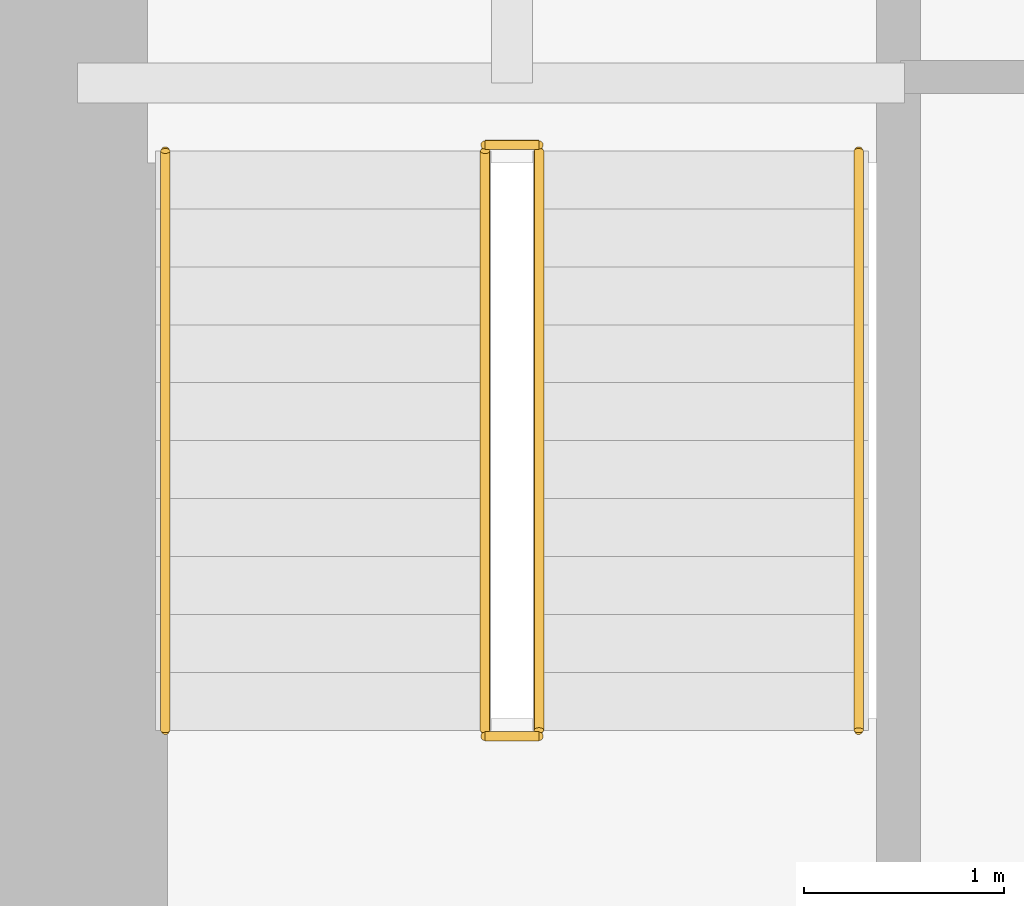
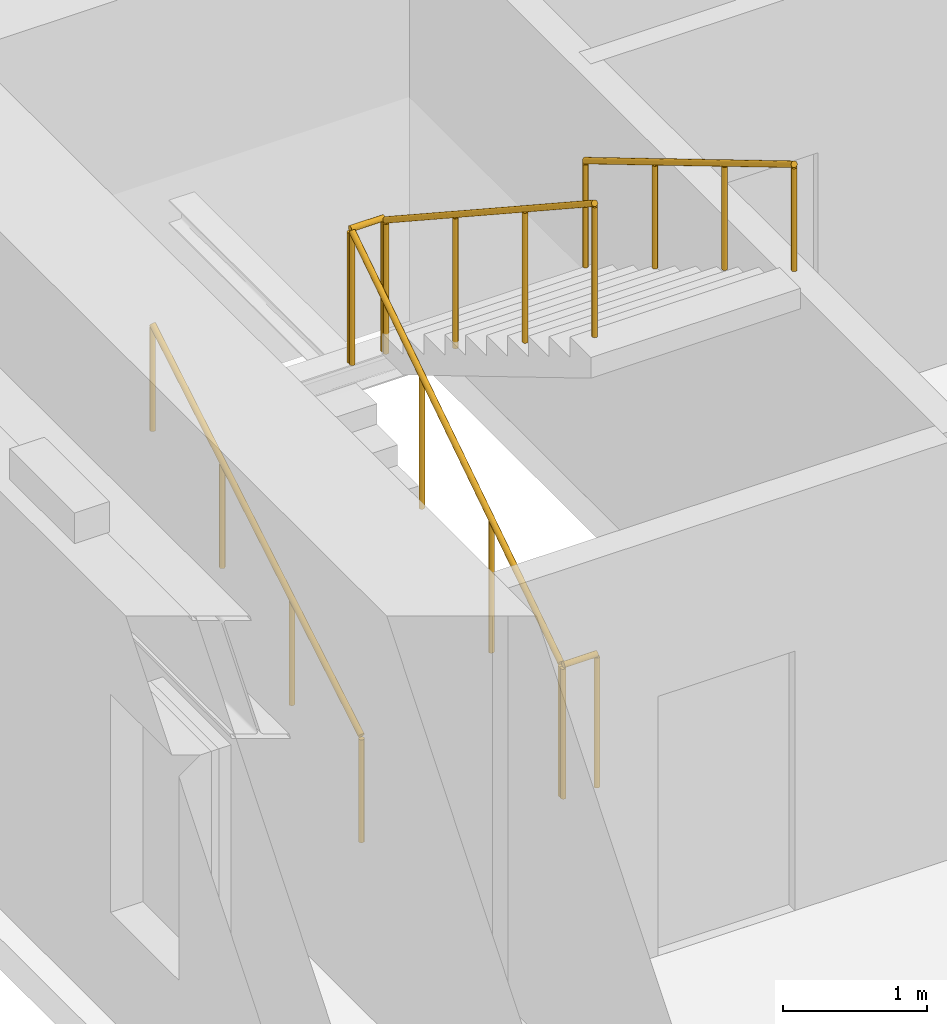
# One storey, part 14 of 16: 6 railings.
"""IFC4 building model written with IfcOpenShell, lengths in metres."""

from ifc_helpers import new_model, si_unit, direction, frame, origin, origin_2d, place, context, subcontext, project, spatial, circle, extrude, material, type_object, element, save


model = new_model("IFC4")

# Units and contexts
model_context = context("Model", 3, precision=1e-05, world=origin(), true_north=direction((0.0, 1.0)))
body_context = subcontext(model_context, "Body", "Model", "MODEL_VIEW")
ifc_project = project(units=[si_unit("LENGTHUNIT", "METRE"), si_unit("AREAUNIT", "SQUARE_METRE"), si_unit("VOLUMEUNIT", "CUBIC_METRE"), si_unit("PLANEANGLEUNIT", "RADIAN"), si_unit("MASSUNIT", "GRAM", prefix="KILO")], contexts=[model_context])

# Site, building, storey
site_placement = place(None, origin())
site = spatial("IfcSite", under=ifc_project, at=site_placement, CompositionType="ELEMENT")
building_placement = place(site_placement, origin())
building = spatial("IfcBuilding", under=site, at=building_placement, Name="Norrvale University Quadrangle", CompositionType="ELEMENT")
storey_placement = place(building_placement, frame((0.0, 0.0, 58.39990234375)))
storey = spatial("IfcBuildingStorey", under=building, at=storey_placement, Name="L14", CompositionType="ELEMENT", Elevation=58.39990234375)

# Railings
ifc_material_1 = material(Name="Steel 350W Painted Balustrade", Category="steel")
railing_type_1 = type_object("IfcRailingType", Name="Railing Stair Guard 1100", PredefinedType="GUARDRAIL", material=ifc_material_1)
for number, where, name in (
    (1, (4.239990234375, 42.02001953125, 0.0), "Stair Floor Well Guard ST-02 L14"),
    (2, (4.239990234375, 44.97998046875, 1.900146484375), "Stair Mid-Landing Slot Guard ST-02 L14"),
):
    element("IfcRailing", number, at=place(storey_placement, frame(where)), inside=storey, type_object=railing_type_1, Name=name, PredefinedType="GUARDRAIL", context=body_context, shape_type="SweptSolid", body=[
        extrude(circle(Radius=0.02392578125, at=origin_2d()), frame((0.0, 0.0, 1.1259765625), z_axis=(1.0, 0.0, 0.0), x_axis=(0.0, 1.0, 0.0)), (0.0, 0.0, 1.0), 0.27001953125),
        extrude(circle(Radius=0.02099609375, at=origin_2d()), origin(), (0.0, 0.0, 1.0), 1.101806640625),
        extrude(circle(Radius=0.02099609375, at=origin_2d()), frame((0.27001953125, 0.0, 0.0)), (0.0, 0.0, 1.0), 1.101806640625),
    ])
railing_1_placement = place(storey_placement, frame((4.239990234375, 42.050048828125, 0.0)))
element("IfcRailing", 3, at=railing_1_placement, inside=storey, type_object=railing_type_1, Name="Stair Lower Flight Inner Guard ST-02 L14", PredefinedType="GUARDRAIL", context=body_context, shape_type="SweptSolid", body=[
    extrude(circle(Radius=0.02392578125, at=origin_2d()), frame((0.0, 0.0, 1.1259765625), z_axis=(0.0, 0.836433300813, 0.548068730445), x_axis=(-1.0, 0.0, 0.0)), (0.0, 0.0, 1.0), 3.467041015625),
    extrude(circle(Radius=0.02099609375, at=origin_2d()), origin(), (0.0, 0.0, 1.0), 1.101806640625),
    extrude(circle(Radius=0.02099609375, at=origin_2d()), frame((0.0, 0.966552734375, 0.63330078125)), (0.0, 0.0, 1.0), 1.101806640625),
    extrude(circle(Radius=0.02099609375, at=origin_2d()), frame((0.0, 1.933349609375, 1.266845703125)), (0.0, 0.0, 1.0), 1.101806640625),
    extrude(circle(Radius=0.02099609375, at=origin_2d()), frame((0.0, 2.89990234375, 1.900146484375)), (0.0, 0.0, 1.0), 1.101806640625),
])
railing_2_placement = place(storey_placement, frame((4.510009765625, 44.949951171875, 1.900146484375)))
element("IfcRailing", 4, at=railing_2_placement, inside=storey, type_object=railing_type_1, Name="Stair Upper Flight Inner Guard ST-02 L14", PredefinedType="GUARDRAIL", context=body_context, shape_type="SweptSolid", body=[
    extrude(circle(Radius=0.02392578125, at=origin_2d()), frame((0.0, 0.0, 1.1259765625), z_axis=(0.0, -0.836465582154, 0.548019461216), x_axis=(1.0, 0.0, 0.0)), (0.0, 0.0, 1.0), 3.466796875),
    extrude(circle(Radius=0.02099609375, at=origin_2d()), origin(), (0.0, 0.0, 1.0), 1.101806640625),
    extrude(circle(Radius=0.02099609375, at=origin_2d()), frame((0.0, -0.966552734375, 0.63330078125)), (0.0, 0.0, 1.0), 1.101806640625),
    extrude(circle(Radius=0.02099609375, at=origin_2d()), frame((0.0, -1.933349609375, 1.2666015625)), (0.0, 0.0, 1.0), 1.101806640625),
    extrude(circle(Radius=0.02099609375, at=origin_2d()), frame((0.0, -2.89990234375, 1.89990234375)), (0.0, 0.0, 1.0), 1.101806640625),
])
ifc_material_2 = material(Name="Stainless Steel 316L Handrail", Category="steel")
railing_type_2 = type_object("IfcRailingType", Name="Railing Stair Handrail 920", PredefinedType="HANDRAIL", material=ifc_material_2)
railing_3_placement = place(storey_placement, frame((2.639892578125, 42.050048828125, 0.1728515625)))
element("IfcRailing", 5, at=railing_3_placement, inside=storey, type_object=railing_type_2, Name="Stair Lower Flight Handrail ST-02 L14", PredefinedType="HANDRAIL", context=body_context, shape_type="SweptSolid", body=[
    extrude(circle(Radius=0.02392578125, at=origin_2d()), frame((0.0, 0.0, 0.89599609375), z_axis=(0.0, 0.859141464434, 0.511738159696), x_axis=(-1.0, 0.0, 0.0)), (0.0, 0.0, 1.0), 3.375244140625),
    extrude(circle(Radius=0.02099609375, at=origin_2d()), origin(), (0.0, 0.0, 1.0), 0.871826171875),
    extrude(circle(Radius=0.02099609375, at=origin_2d()), frame((0.0, 0.966552734375, 0.57568359375)), (0.0, 0.0, 1.0), 0.871826171875),
    extrude(circle(Radius=0.02099609375, at=origin_2d()), frame((0.0, 1.933349609375, 1.151611328125)), (0.0, 0.0, 1.0), 0.871826171875),
    extrude(circle(Radius=0.02099609375, at=origin_2d()), frame((0.0, 2.89990234375, 1.727294921875)), (0.0, 0.0, 1.0), 0.871826171875),
])
railing_4_placement = place(storey_placement, frame((6.110107421875, 44.949951171875, 2.07275390625)))
element("IfcRailing", 6, at=railing_4_placement, inside=storey, type_object=railing_type_2, Name="Stair Upper Flight Handrail ST-02 L14", PredefinedType="HANDRAIL", context=body_context, shape_type="SweptSolid", body=[
    extrude(circle(Radius=0.02392578125, at=origin_2d()), frame((0.0, 0.0, 0.89599609375), z_axis=(0.0, -0.859141464434, 0.511738159696), x_axis=(1.0, 0.0, 0.0)), (0.0, 0.0, 1.0), 3.375244140625),
    extrude(circle(Radius=0.02099609375, at=origin_2d()), origin(), (0.0, 0.0, 1.0), 0.871826171875),
    extrude(circle(Radius=0.02099609375, at=origin_2d()), frame((0.0, -0.966552734375, 0.57568359375)), (0.0, 0.0, 1.0), 0.871826171875),
    extrude(circle(Radius=0.02099609375, at=origin_2d()), frame((0.0, -1.933349609375, 1.151611328125)), (0.0, 0.0, 1.0), 0.871826171875),
    extrude(circle(Radius=0.02099609375, at=origin_2d()), frame((0.0, -2.89990234375, 1.727294921875)), (0.0, 0.0, 1.0), 0.871826171875),
])

save(model, "model.ifc")
